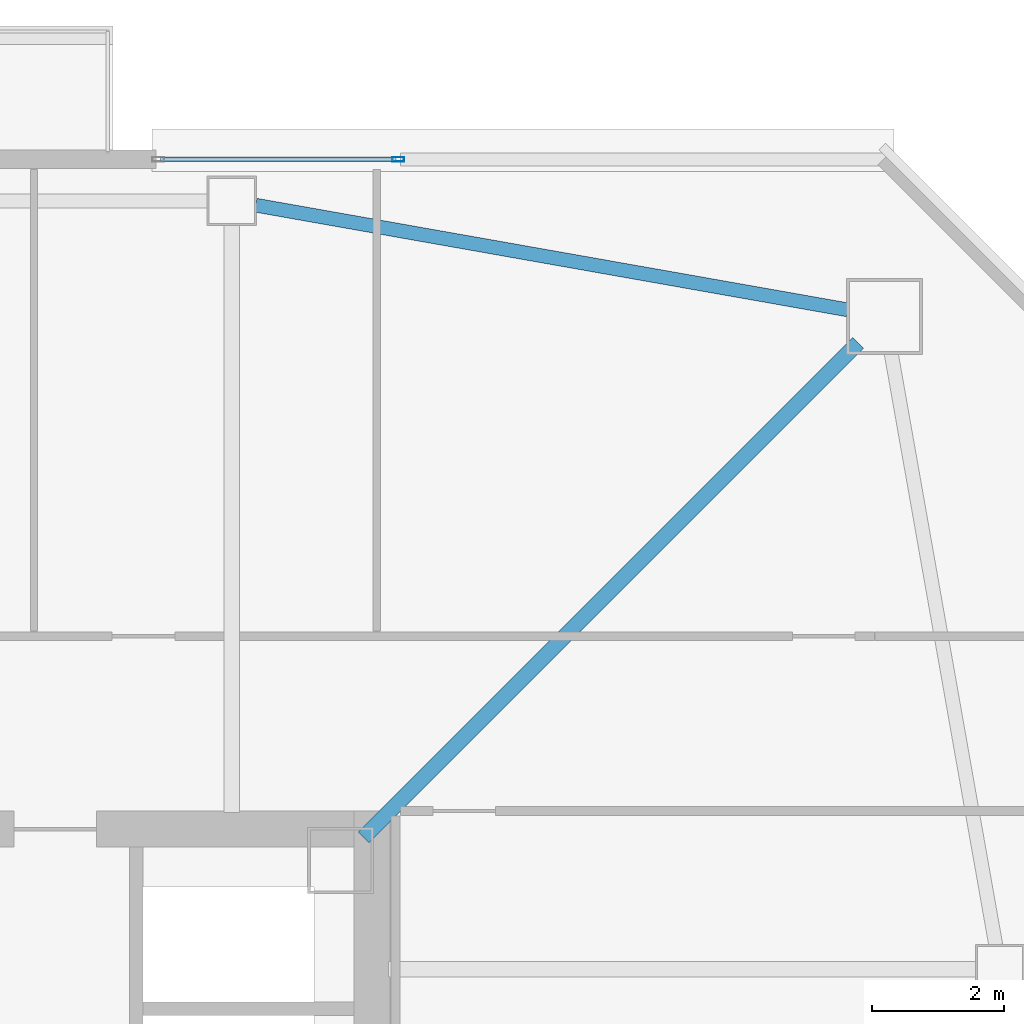
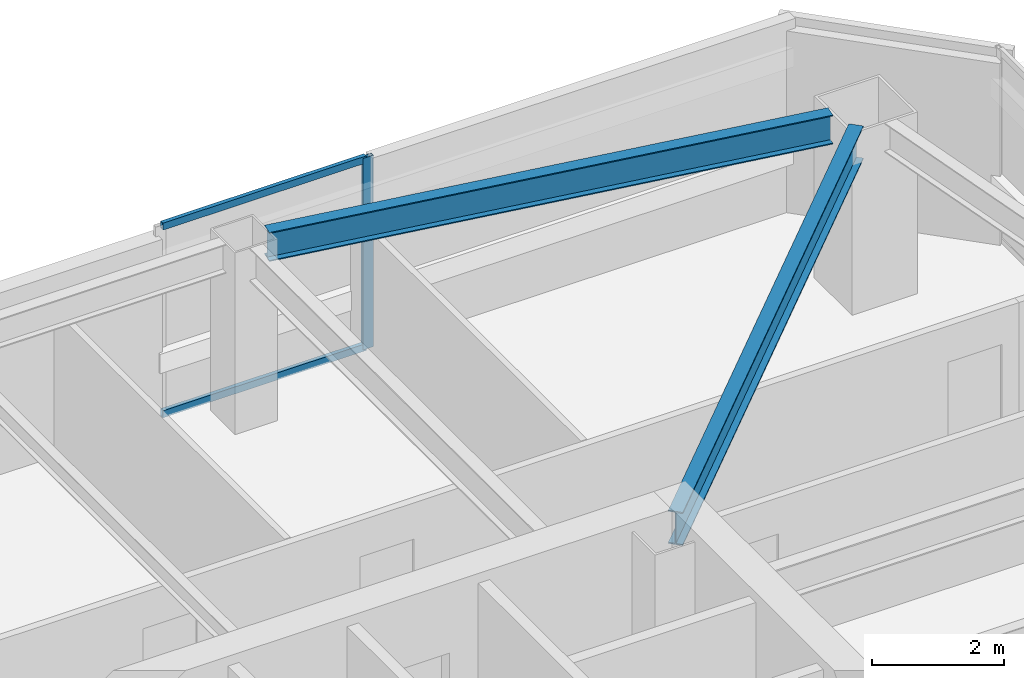
# One storey, part 16 of 46: 3 members, 2 beams, 1 element without a shape of its own.
"""IFC4 building model written with IfcOpenShell, lengths in metres."""

from ifc_helpers import new_model, si_unit, direction, frame, origin, origin_2d, place, context, subcontext, project, spatial, hollow_rectangle, i_section, extrude, material, material_profile, profile_set, type_object, element, aggregate, save


model = new_model("IFC4")

# Units and contexts
model_context = context("Model", 3, precision=1e-05, world=origin(), true_north=direction((0.0, 1.0)))
body_context = subcontext(model_context, "Body", "Model", "MODEL_VIEW")
ifc_project = project(units=[si_unit("LENGTHUNIT", "METRE"), si_unit("AREAUNIT", "SQUARE_METRE"), si_unit("VOLUMEUNIT", "CUBIC_METRE"), si_unit("PLANEANGLEUNIT", "RADIAN"), si_unit("MASSUNIT", "GRAM", prefix="KILO")], contexts=[model_context])

# Site, building, storey
site_placement = place(None, origin())
site = spatial("IfcSite", under=ifc_project, at=site_placement, CompositionType="ELEMENT")
building_placement = place(site_placement, origin())
building = spatial("IfcBuilding", under=site, at=building_placement, Name="Tashvorn Skyway Center", CompositionType="ELEMENT")
storey_placement = place(building_placement, frame((0.0, 0.0, 167.64990234375)))
storey = spatial("IfcBuildingStorey", under=building, at=storey_placement, Name="L45", CompositionType="ELEMENT", Elevation=167.64990234375)

# Beams
ifc_material_1 = material(Name="Steel ASTM A992 Grade 50", Category="steel")
ifc_material_profile_1 = material_profile(ifc_material_1, i_section(OverallWidth=0.22998046875, OverallDepth=0.616943359375, WebThickness=0.01318359375, FlangeThickness=0.022216796875, at=origin_2d()), Name="W24X94")
ifc_profile_set_1 = profile_set([ifc_material_profile_1], Name="Steel ASTM A992 Grade 50")
beam_type_1 = type_object("IfcBeamType", Name="BM-BEAM-W24X94", PredefinedType="BEAM", material=ifc_profile_set_1)
beam_1_placement = place(storey_placement, frame((56.89697265625, 46.89697265625, 3.0615234375), z_axis=(-0.707106781187, -0.707106781187, 0.0), x_axis=(0.707106781187, -0.707106781187, 0.0)))
element("IfcBeam", 1, at=beam_1_placement, inside=storey, type_object=beam_type_1, Name="Tower 1 L45 Primary Floor Girder MC-NE", PredefinedType="BEAM", context=body_context, shape_type="SweptSolid", body=[
    extrude(i_section(OverallWidth=0.22998046875, OverallDepth=0.616943359375, WebThickness=0.01318359375, FlangeThickness=0.022216796875, at=origin_2d()), origin(), (0.0, 0.0, 1.0), 10.6025390625),
])
ifc_material_profile_2 = material_profile(ifc_material_1, i_section(OverallWidth=0.2109375, OverallDepth=0.5390625, WebThickness=0.01171875, FlangeThickness=0.018798828125, at=origin_2d()), Name="W21X73")
ifc_profile_set_2 = profile_set([ifc_material_profile_2], Name="Steel ASTM A992 Grade 50")
beam_type_2 = type_object("IfcBeamType", Name="BM-SPANDREL-W21X73", PredefinedType="SPANDREL", material=ifc_profile_set_2)
beam_2_placement = place(storey_placement, frame((56.73876953125, 47.399169921875, 3.1005859375), z_axis=(-0.984732545667, 0.174074160933, 0.0), x_axis=(-0.174074160933, -0.984732545667, 0.0)))
element("IfcBeam", 2, at=beam_2_placement, inside=storey, type_object=beam_type_2, Name="Tower 1 L45 Spandrel Beam 07", PredefinedType="SPANDREL", context=body_context, shape_type="SweptSolid", body=[
    extrude(i_section(OverallWidth=0.2109375, OverallDepth=0.5390625, WebThickness=0.01171875, FlangeThickness=0.018798828125, at=origin_2d()), origin(), (0.0, 0.0, 1.0), 9.113525390625),
])

# Curtain wall, members
ifc_material_2 = material(Name="Thermally broken bronze-anodized aluminium 6063-T6", Category="aluminium")
curtain_wall_type = type_object("IfcCurtainWallType", Name="CW-CW-Z4", PredefinedType="NOTDEFINED", material=ifc_material_2)
curtain_wall_placement = place(storey_placement, origin())
curtain_wall = element("IfcCurtainWall", 3, at=curtain_wall_placement, inside=storey, type_object=curtain_wall_type, Name="Tower 1 L45 North Curtain Wall R Glazing Group 1", PredefinedType="NOTDEFINED")
ifc_material_profile_3 = material_profile(ifc_material_2, hollow_rectangle(XDim=0.070068359375, YDim=0.179931640625, WallThickness=0.00390625, at=origin_2d()), Name="ALU-MULL-70x180")
ifc_profile_set_3 = profile_set([ifc_material_profile_3], Name="Thermally broken bronze-anodized aluminium 6063-T6")
member_type_1 = type_object("IfcMemberType", Name="CWM-CW-Z4", PredefinedType="MULLION", material=ifc_profile_set_3)
member_1_placement = place(storey_placement, frame((49.925048828125, 49.679931640625, 0.0), z_axis=(0.0, 0.0, 1.0), x_axis=(0.0, 1.0, 0.0)))
member_1 = element("IfcMember", 4, at=member_1_placement, type_object=member_type_1, Name="CW-Z4 mullion 2", PredefinedType="MULLION", context=body_context, shape_type="SweptSolid", body=[
    extrude(hollow_rectangle(XDim=0.070068359375, YDim=0.179931640625, WallThickness=0.00390625, at=origin_2d()), origin(), (0.0, 0.0, 1.0), 3.550048828125),
])
ifc_material_profile_4 = material_profile(ifc_material_2, hollow_rectangle(XDim=0.070068359375, YDim=0.1298828125, WallThickness=0.00390625, at=origin_2d()), Name="ALU-TRAN-70x130")
ifc_profile_set_4 = profile_set([ifc_material_profile_4], Name="Thermally broken bronze-anodized aluminium 6063-T6")
member_type_2 = type_object("IfcMemberType", Name="CWT-CW-Z4", PredefinedType="USERDEFINED", material=ifc_profile_set_4)
member_2_placement = place(storey_placement, frame((46.320068359375, 49.679931640625, 0.03515625), z_axis=(1.0, 0.0, 0.0), x_axis=(0.0, 1.0, 0.0)))
member_2 = element("IfcMember", 5, at=member_2_placement, type_object=member_type_2, Name="CW-Z4 transom 1.1", ObjectType="TRANSOM", PredefinedType="USERDEFINED", context=body_context, shape_type="SweptSolid", body=[
    extrude(hollow_rectangle(XDim=0.070068359375, YDim=0.1298828125, WallThickness=0.00390625, at=origin_2d()), origin(), (0.0, 0.0, 1.0), 3.56982421875),
])
member_3_placement = place(storey_placement, frame((46.320068359375, 49.679931640625, 3.51513671875), z_axis=(1.0, 0.0, 0.0), x_axis=(0.0, 1.0, 0.0)))
member_3 = element("IfcMember", 6, at=member_3_placement, type_object=member_type_2, Name="CW-Z4 transom 1.2", ObjectType="TRANSOM", PredefinedType="USERDEFINED", context=body_context, shape_type="SweptSolid", body=[
    extrude(hollow_rectangle(XDim=0.070068359375, YDim=0.1298828125, WallThickness=0.00390625, at=origin_2d()), origin(), (0.0, 0.0, 1.0), 3.56982421875),
])
aggregate(curtain_wall, [member_1, member_2, member_3])

save(model, "model.ifc")
